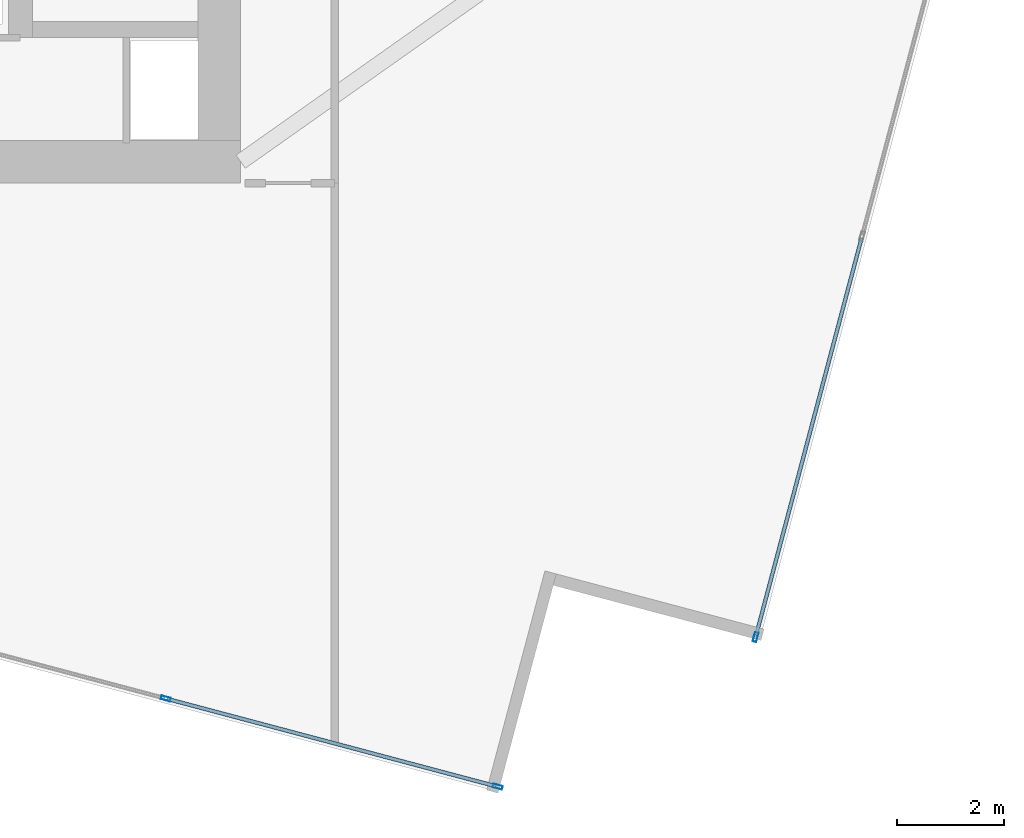
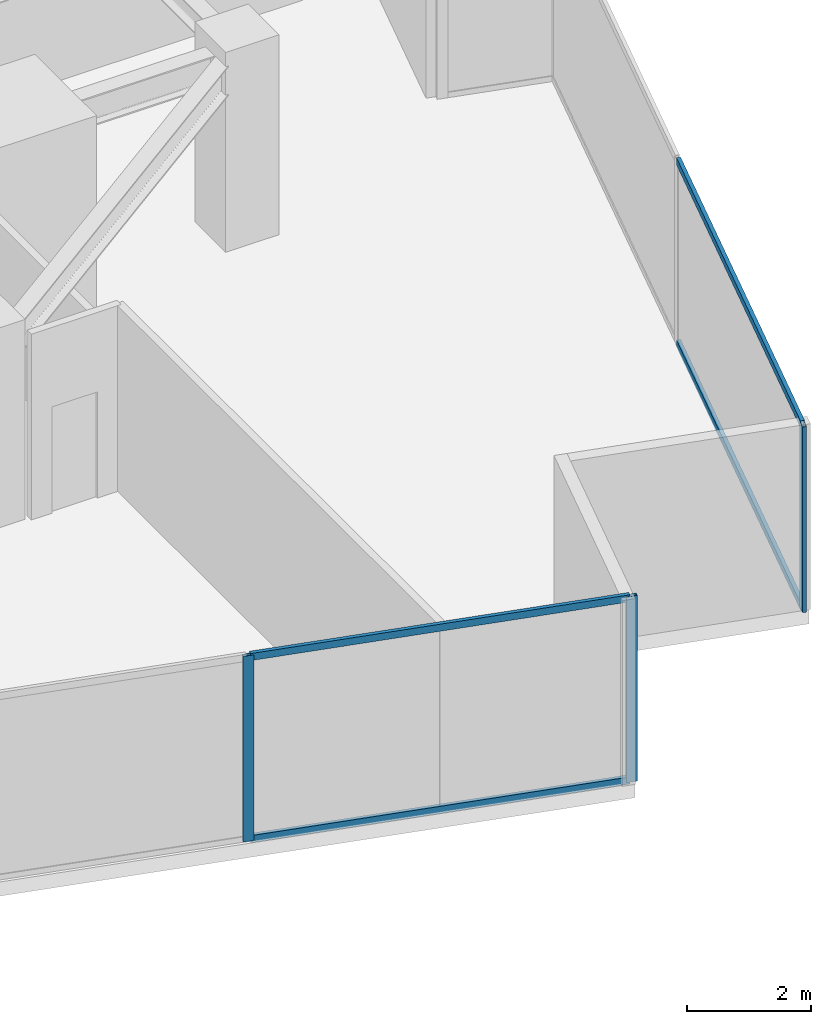
# One storey, part 10 of 27: 7 members, 2 elements without a shape of their own.
"""IFC4 building model written with IfcOpenShell, lengths in metres."""

from ifc_helpers import new_model, si_unit, direction, frame, origin, origin_2d, place, context, subcontext, project, spatial, hollow_rectangle, extrude, source, transform, mapped, material, material_profile, profile_set, type_object, type_shapes, element, aggregate, save


model = new_model("IFC4")

# Units and contexts
model_context = context("Model", 3, precision=1e-05, world=origin(), true_north=direction((0.0, 1.0)))
body_context = subcontext(model_context, "Body", "Model", "MODEL_VIEW")
ifc_project = project(units=[si_unit("LENGTHUNIT", "METRE"), si_unit("AREAUNIT", "SQUARE_METRE"), si_unit("VOLUMEUNIT", "CUBIC_METRE"), si_unit("PLANEANGLEUNIT", "RADIAN"), si_unit("MASSUNIT", "GRAM", prefix="KILO")], contexts=[model_context])

# Site, building, storey
site_placement = place(None, origin())
site = spatial("IfcSite", under=ifc_project, at=site_placement, CompositionType="ELEMENT")
building_placement = place(site_placement, origin())
building = spatial("IfcBuilding", under=site, at=building_placement, Name="Krantzveldt Concourse Tower", CompositionType="ELEMENT")
storey_placement = place(building_placement, frame((0.0, 0.0, 101.89990234375)))
storey = spatial("IfcBuildingStorey", under=building, at=storey_placement, Name="L24", CompositionType="ELEMENT", Elevation=101.89990234375)

# Curtain wall, members
ifc_material = material(Name="Anodised aluminium 6063-T6", Category="aluminium")
curtain_wall_type = type_object("IfcCurtainWallType", Name="CW2", PredefinedType="USERDEFINED", material=ifc_material)
curtain_wall_1_placement = place(storey_placement, origin())
curtain_wall_1 = element("IfcCurtainWall", 1, at=curtain_wall_1_placement, inside=storey, type_object=curtain_wall_type, Name="CW-L24-F04", ObjectType="UNITISED CURTAIN WALL", PredefinedType="USERDEFINED")
ifc_material_profile_1 = material_profile(ifc_material, hollow_rectangle(XDim=0.070068359375, YDim=0.179931640625, WallThickness=0.0048828125, at=origin_2d()), Name="Anodised aluminium 6063-T6", Category="aluminium")
ifc_profile_set_1 = profile_set([ifc_material_profile_1], Name="Anodised aluminium 6063-T6 - ALU-MULL 180x70x5")
member_type_1 = type_object("IfcMemberType", Name="CW-MUL-180", PredefinedType="MULLION", material=ifc_profile_set_1)
shared_shape_1 = source(origin(), body_context, "Body", "SweptSolid", [
    extrude(hollow_rectangle(XDim=0.070068359375, YDim=0.179931640625, WallThickness=0.0048828125, at=origin_2d()), origin(), (0.0, 0.0, 1.0), 3.670166015625),
])
type_shapes(member_type_1, [shared_shape_1])
member_1_placement = place(storey_placement, frame((42.515869140625, 0.85107421875, 0.0), z_axis=(0.0, 0.0, 1.0), x_axis=(0.256711093648, 0.966488186373, 0.0)))
member_1 = element("IfcMember", 2, at=member_1_placement, type_object=member_type_1, Name="CW-Z12 mullion 6", PredefinedType="MULLION", context=body_context, shape_type="MappedRepresentation", body=[
    mapped(shared_shape_1, transform((0.0, 0.0, 0.0), x_axis=(1.0, 0.0, 0.0), y_axis=(0.0, 1.0, 0.0), z_axis=(0.0, 0.0, 1.0), scale=1.0)),
])
member_2_placement = place(storey_placement, frame((48.732177734375, -0.800048828125, 0.0), z_axis=(0.0, 0.0, 1.0), x_axis=(0.256711093648, 0.966488186373, 0.0)))
member_2 = element("IfcMember", 3, at=member_2_placement, type_object=member_type_1, Name="CW-Z12 mullion 7", PredefinedType="MULLION", context=body_context, shape_type="MappedRepresentation", body=[
    mapped(shared_shape_1, transform((0.0, 0.0, 0.0), x_axis=(1.0, 0.0, 0.0), y_axis=(0.0, 1.0, 0.0), z_axis=(0.0, 0.0, 1.0), scale=1.0)),
])

# Curtain wall, member
curtain_wall_2_placement = place(storey_placement, origin())
curtain_wall_2 = element("IfcCurtainWall", 4, at=curtain_wall_2_placement, inside=storey, type_object=curtain_wall_type, Name="CW-L24-F07", ObjectType="UNITISED CURTAIN WALL", PredefinedType="USERDEFINED")
member_3_placement = place(storey_placement, frame((53.5576171875, 2.0, 0.0), z_axis=(0.0, 0.0, 1.0), x_axis=(-0.966488210944, 0.256711001141, 0.0)))
member_3 = element("IfcMember", 5, at=member_3_placement, type_object=member_type_1, Name="CW-Z12 mullion 1", PredefinedType="MULLION", context=body_context, shape_type="MappedRepresentation", body=[
    mapped(shared_shape_1, transform((0.0, 0.0, 0.0), x_axis=(1.0, 0.0, 0.0), y_axis=(0.0, 1.0, 0.0), z_axis=(0.0, 0.0, 1.0), scale=1.0)),
])

# Member
ifc_material_profile_2 = material_profile(ifc_material, hollow_rectangle(XDim=0.070068359375, YDim=0.139892578125, WallThickness=0.0048828125, at=origin_2d()), Name="Anodised aluminium 6063-T6", Category="aluminium")
ifc_profile_set_2 = profile_set([ifc_material_profile_2], Name="Anodised aluminium 6063-T6 - ALU-TRAN 140x70x5")
member_type_2 = type_object("IfcMemberType", Name="CW-TRN-150", PredefinedType="USERDEFINED", material=ifc_profile_set_2)
shared_shape_2 = source(origin(), body_context, "Body", "SweptSolid", [
    extrude(hollow_rectangle(XDim=0.070068359375, YDim=0.139892578125, WallThickness=0.0048828125, at=origin_2d()), origin(), (0.0, 0.0, 1.0), 6.361572265625),
])
member_4_placement = place(storey_placement, frame((42.5498046875, 0.842041015625, 0.03515625), z_axis=(0.966489887801, -0.256704687877, 0.0), x_axis=(0.256704687877, 0.966489887801, 0.0)))
member_4 = element("IfcMember", 6, at=member_4_placement, type_object=member_type_2, Name="CW-Z12 transom 6.1", ObjectType="TRANSOM", PredefinedType="USERDEFINED", context=body_context, shape_type="MappedRepresentation", body=[
    mapped(shared_shape_2, transform((0.0, 0.0, 0.0), x_axis=(1.0, 0.0, 0.0), y_axis=(0.0, 1.0, 0.0), z_axis=(0.0, 0.0, 1.0), scale=1.0)),
])

member_5_placement = place(storey_placement, frame((42.5498046875, 0.842041015625, 3.635009765625), z_axis=(0.966489887801, -0.256704687877, 0.0), x_axis=(0.256704687877, 0.966489887801, 0.0)))
member_5 = element("IfcMember", 7, at=member_5_placement, type_object=member_type_2, Name="CW-Z12 transom 6.2", ObjectType="TRANSOM", PredefinedType="USERDEFINED", context=body_context, shape_type="MappedRepresentation", body=[
    mapped(shared_shape_2, transform((0.0, 0.0, 0.0), x_axis=(1.0, 0.0, 0.0), y_axis=(0.0, 1.0, 0.0), z_axis=(0.0, 0.0, 1.0), scale=1.0)),
])

aggregate(curtain_wall_1, [member_1, member_2, member_4, member_5])

shared_shape_3 = source(origin(), body_context, "Body", "SweptSolid", [
    extrude(hollow_rectangle(XDim=0.070068359375, YDim=0.139892578125, WallThickness=0.0048828125, at=origin_2d()), origin(), (0.0, 0.0, 1.0), 7.69482421875),
])
type_shapes(member_type_2, [shared_shape_2, shared_shape_3])
member_6_placement = place(storey_placement, frame((53.566650390625, 2.033935546875, 0.03515625), z_axis=(0.256708719645, 0.966488816934, 0.0), x_axis=(-0.966488816934, 0.256708719645, 0.0)))
member_6 = element("IfcMember", 8, at=member_6_placement, type_object=member_type_2, Name="CW-Z12 transom 1.1", ObjectType="TRANSOM", PredefinedType="USERDEFINED", context=body_context, shape_type="MappedRepresentation", body=[
    mapped(shared_shape_3, transform((0.0, 0.0, 0.0), x_axis=(1.0, 0.0, 0.0), y_axis=(0.0, 1.0, 0.0), z_axis=(0.0, 0.0, 1.0), scale=1.0)),
])

member_7_placement = place(storey_placement, frame((53.566650390625, 2.033935546875, 3.635009765625), z_axis=(0.256708719645, 0.966488816934, 0.0), x_axis=(-0.966488816934, 0.256708719645, 0.0)))
member_7 = element("IfcMember", 9, at=member_7_placement, type_object=member_type_2, Name="CW-Z12 transom 1.2", ObjectType="TRANSOM", PredefinedType="USERDEFINED", context=body_context, shape_type="MappedRepresentation", body=[
    mapped(shared_shape_3, transform((0.0, 0.0, 0.0), x_axis=(1.0, 0.0, 0.0), y_axis=(0.0, 1.0, 0.0), z_axis=(0.0, 0.0, 1.0), scale=1.0)),
])

aggregate(curtain_wall_2, [member_3, member_6, member_7])

save(model, "model.ifc")
